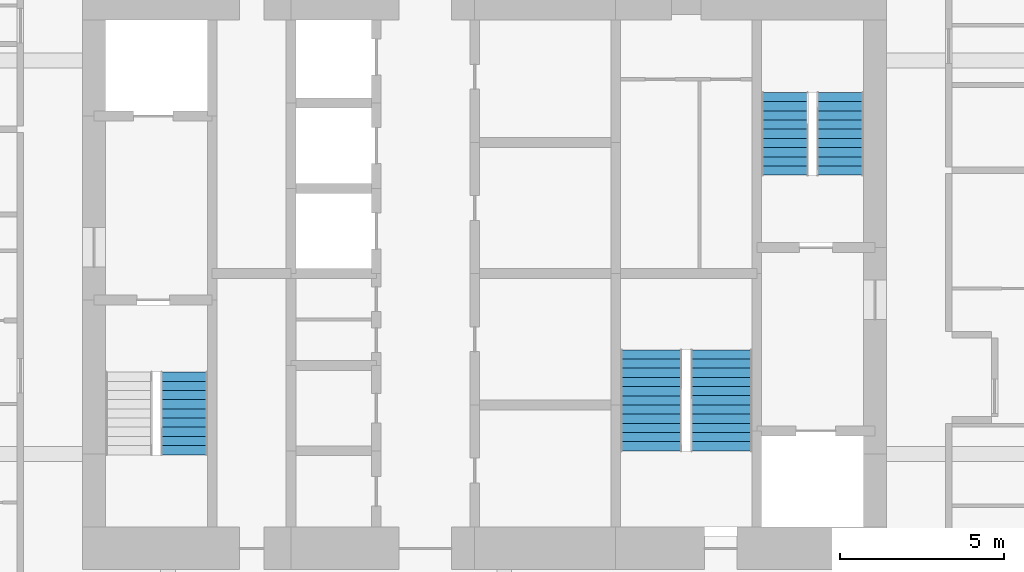
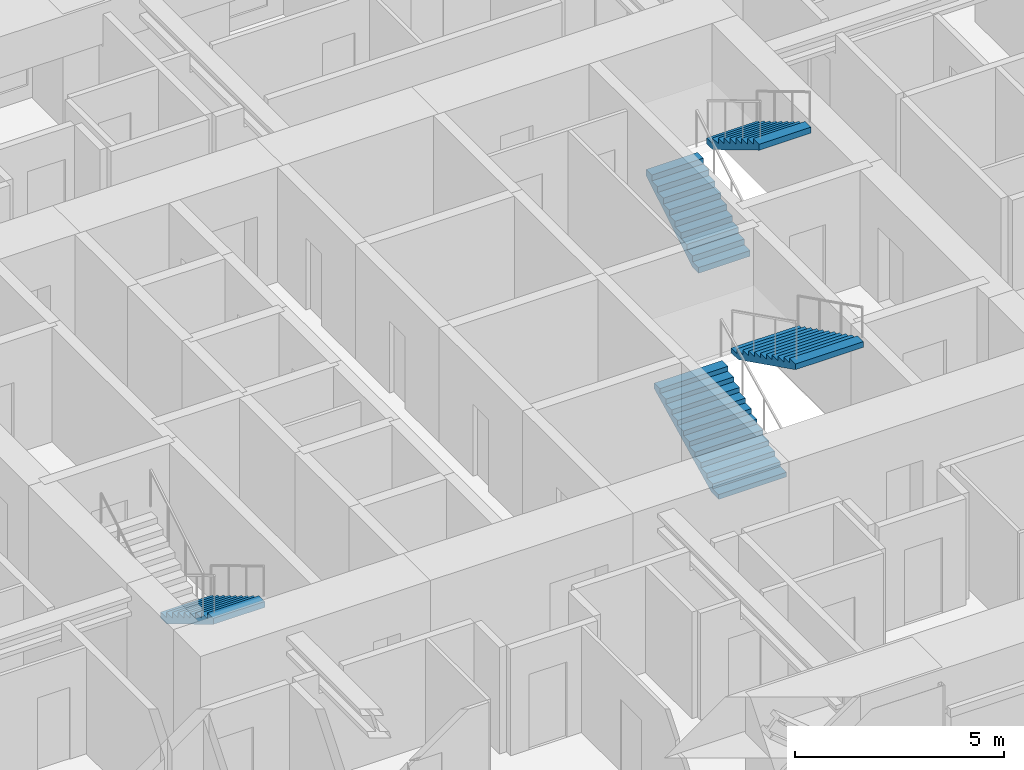
# One storey, part 22 of 23: 5 stair flights, 3 elements without a shape of their own.
"""IFC4 building model written with IfcOpenShell, lengths in metres."""

import ifcopenshell
import ifcopenshell.guid

model = None  # the IFC model being written
_history = None  # IfcOwnerHistory: only IFC2X3 demands one
_inside = {}  # id of a spatial element -> (the spatial element, [elements in it])
_under = {}  # id of a project, library or spatial element -> (it, [spatial elements below it])
_declared = {}  # id of a project -> (the project, [libraries it declares])
_typed = {}  # id of a type object -> (the type object, [elements of that type])
_made_of = {}  # id of a material, layer set ... -> (it, [elements and type objects made of it])


def new_model(schema):
    """Start an empty IFC model of exactly this schema.

    Asked for "IFC4X3", IfcOpenShell would pick the latest addendum, in which some entities
    have other attributes; the version numbers below select the first issue.
    IFC2X3 requires an IfcOwnerHistory on every rooted entity: one is made here for all.
    """
    global model, _history
    if schema == "IFC4X3":
        model = ifcopenshell.file(schema_version=(4, 3, 0, 0))
    else:
        model = ifcopenshell.file(schema=schema)
    _inside.clear()
    _under.clear()
    _declared.clear()
    _typed.clear()
    _made_of.clear()
    _history = None
    if model.schema == "IFC2X3":
        org = make("IfcOrganization", Name="unknown")
        user = make(
            "IfcPersonAndOrganization",
            ThePerson=make("IfcPerson", FamilyName="unknown"),
            TheOrganization=org,
        )
        app = make(
            "IfcApplication",
            ApplicationDeveloper=org,
            Version="unknown",
            ApplicationFullName="unknown",
            ApplicationIdentifier="unknown",
        )
        _history = make(
            "IfcOwnerHistory",
            OwningUser=user,
            OwningApplication=app,
            ChangeAction="ADDED",
            CreationDate=0,
        )
    return model


def make(cls, **values):
    """One entity of the class cls with the attributes given. An attribute that is None is left unset."""
    return model.create_entity(
        cls, **{name: value for name, value in values.items() if value is not None}
    )


def rooted(cls, **values):
    """An entity with a GlobalId (a new one), such as an element, a storey or a relation."""
    return make(cls, GlobalId=ifcopenshell.guid.new(), OwnerHistory=_history, **values)


def si_unit(unit_type, name, prefix=None):
    """IfcSIUnit, for example si_unit("LENGTHUNIT", "METRE", prefix="MILLI")."""
    return make("IfcSIUnit", UnitType=unit_type, Prefix=prefix, Name=name)


def assignment(units):
    """IfcUnitAssignment: the units of a project."""
    return None if units is None else make("IfcUnitAssignment", Units=units)


def point(xyz):
    """IfcCartesianPoint."""
    return None if xyz is None else make("IfcCartesianPoint", Coordinates=xyz)


def direction(xyz):
    """IfcDirection."""
    return None if xyz is None else make("IfcDirection", DirectionRatios=xyz)


def frame(location, z_axis=None, x_axis=None):
    """IfcAxis2Placement3D, a coordinate frame: its origin and axes. An axis left out is left unset."""
    return make(
        "IfcAxis2Placement3D",
        Location=point(location),
        Axis=direction(z_axis),
        RefDirection=direction(x_axis),
    )


def origin():
    """The frame at (0, 0, 0) with its axes left unset."""
    return frame((0.0, 0.0, 0.0))


def place(relative_to, where):
    """IfcLocalPlacement: puts the frame where relative to a parent placement (None: the world)."""
    return make(
        "IfcLocalPlacement", PlacementRelTo=relative_to, RelativePlacement=where
    )


def context(
    kind, dimensions, precision=None, world=None, true_north=None, identifier=None
):
    """IfcGeometricRepresentationContext, for example the 3D "Model" context."""
    return make(
        "IfcGeometricRepresentationContext",
        ContextIdentifier=identifier,
        ContextType=kind,
        CoordinateSpaceDimension=dimensions,
        Precision=precision,
        WorldCoordinateSystem=world,
        TrueNorth=true_north,
    )


def subcontext(parent, identifier, kind, view, scale=None):
    """IfcGeometricRepresentationSubContext, for example "Body" below "Model"."""
    return make(
        "IfcGeometricRepresentationSubContext",
        ContextIdentifier=identifier,
        ContextType=kind,
        ParentContext=parent,
        TargetScale=scale,
        TargetView=view,
    )


def project(units=None, contexts=None):
    """IfcProject with its units and contexts."""
    return rooted(
        "IfcProject",
        Name="project",
        RepresentationContexts=contexts,
        UnitsInContext=assignment(units),
    )


def spatial(cls, under=None, at=None, **own):
    """A site, building, storey or space (cls), placed at a placement, below another one or the project."""
    s = rooted(cls, ObjectPlacement=at, **own)
    if under is not None:
        _under.setdefault(under.id(), (under, []))[1].append(s)
    return s


def polyline(points):
    """IfcPolyline through the points."""
    return make("IfcPolyline", Points=[point(p) for p in points])


def outline(outer, holes=None, kind="AREA"):
    """IfcArbitraryClosedProfileDef: a profile drawn as a closed curve; with holes, ...WithVoids."""
    if holes is None:
        return make("IfcArbitraryClosedProfileDef", ProfileType=kind, OuterCurve=outer)
    return make(
        "IfcArbitraryProfileDefWithVoids",
        ProfileType=kind,
        OuterCurve=outer,
        InnerCurves=holes,
    )


def extrude(swept, where, along, depth):
    """IfcExtrudedAreaSolid: the profile swept, set in the frame where, extruded along a direction by depth."""
    return make(
        "IfcExtrudedAreaSolid",
        SweptArea=swept,
        Position=where,
        ExtrudedDirection=direction(along),
        Depth=depth,
    )


def shape(context_of_items, identifier, shape_type, items):
    """IfcShapeRepresentation: the items that make up one representation, for example the "Body"."""
    return make(
        "IfcShapeRepresentation",
        ContextOfItems=context_of_items,
        RepresentationIdentifier=identifier,
        RepresentationType=shape_type,
        Items=items,
    )


def material(Name=None, Category=None):
    """IfcMaterial."""
    return make("IfcMaterial", Name=Name, Category=Category)


def made_of(thing, what):
    """Note that an element or type object is made of a material, layer set ...; save() writes the relation."""
    if what is not None:
        _made_of.setdefault(what.id(), (what, []))[1].append(thing)
    return thing


def type_object(cls, material=None, **own):
    """A type object (cls), such as IfcWallType, which elements share."""
    return made_of(rooted(cls, **own), material)


def element(
    cls,
    number,
    at=None,
    inside=None,
    cuts=None,
    type_object=None,
    material=None,
    context=None,
    identifier="Body",
    shape_type=None,
    held_by="IfcProductDefinitionShape",
    body=None,
    shapes=None,
    **own,
):
    """One element of the class cls, such as IfcWall. Its Tag is "e" and its number.

    at: its placement. inside: the storey or other place that contains it. cuts: it is an
    opening in that element (IfcRelVoidsElement). A single representation is given by context,
    identifier, shape_type and body (its items); several are given by shapes. held_by: the class
    of the entity that holds the representations. save() writes the other relations.
    """
    e = rooted(cls, Tag="e%d" % number, ObjectPlacement=at, **own)
    if body is not None:
        shapes = [shape(context, identifier, shape_type, body)]
    if shapes is not None:
        e.Representation = make(held_by, Representations=shapes)
    if inside is not None:
        _inside.setdefault(inside.id(), (inside, []))[1].append(e)
    if cuts is not None:
        rooted(
            "IfcRelVoidsElement", RelatingBuildingElement=cuts, RelatedOpeningElement=e
        )
    if type_object is not None:
        _typed.setdefault(type_object.id(), (type_object, []))[1].append(e)
    return made_of(e, material)


def aggregate(whole, parts):
    """IfcRelAggregates: a whole, such as a stair, and the parts it consists of."""
    return rooted("IfcRelAggregates", RelatingObject=whole, RelatedObjects=parts)


def save(model, path):
    """Write the relations noted so far, then the file.

    IfcRelAggregates (storeys below a building ...), IfcRelContainedInSpatialStructure (elements
    in a storey), IfcRelDefinesByType, IfcRelAssociatesMaterial and IfcRelDeclares: one each for
    every whole, place, type object, material and project.
    """
    for whole, parts in _under.values():
        aggregate(whole, parts)
    for where, things in _inside.values():
        rooted(
            "IfcRelContainedInSpatialStructure",
            RelatedElements=things,
            RelatingStructure=where,
        )
    for kind, things in _typed.values():
        rooted("IfcRelDefinesByType", RelatedObjects=things, RelatingType=kind)
    for what, things in _made_of.values():
        rooted("IfcRelAssociatesMaterial", RelatedObjects=things, RelatingMaterial=what)
    for by, libraries in _declared.values():
        rooted("IfcRelDeclares", RelatingContext=by, RelatedDefinitions=libraries)
    model.write(path)


model = new_model("IFC4")

# Units and contexts
model_context = context("Model", 3, precision=1e-05, world=origin(), true_north=direction((0.0, 1.0)))
body_context = subcontext(model_context, "Body", "Model", "MODEL_VIEW")
ifc_project = project(units=[si_unit("LENGTHUNIT", "METRE"), si_unit("AREAUNIT", "SQUARE_METRE"), si_unit("VOLUMEUNIT", "CUBIC_METRE"), si_unit("PLANEANGLEUNIT", "RADIAN"), si_unit("MASSUNIT", "GRAM", prefix="KILO")], contexts=[model_context])

# Site, building, storey
site_placement = place(None, origin())
site = spatial("IfcSite", under=ifc_project, at=site_placement, CompositionType="ELEMENT")
building_placement = place(site_placement, origin())
building = spatial("IfcBuilding", under=site, at=building_placement, Name="Jalousie Tower", CompositionType="ELEMENT")
storey_placement = place(building_placement, frame((0.0, 0.0, 164.39990234375)))
storey = spatial("IfcBuildingStorey", under=building, at=storey_placement, Name="L44", CompositionType="ELEMENT", Elevation=164.39990234375)

# Stair, stair flight
ifc_material_1 = material(Name="Concrete f'c 40 MPa", Category="concrete")
stair_type = type_object("IfcStairType", Name="EXIT STAIR", PredefinedType="HALF_TURN_STAIR", material=ifc_material_1)
stair_1_placement = place(storey_placement, origin())
stair_1 = element("IfcStair", 1, at=stair_1_placement, inside=storey, type_object=stair_type, Name="Exit stair A L44", PredefinedType="HALF_TURN_STAIR")
ifc_material_2 = material(Name="Concrete f'c 40 MPa", Category="concrete")
stair_flight_type = type_object("IfcStairFlightType", Name="STAIR FLIGHT", PredefinedType="STRAIGHT", material=ifc_material_2)
stair_flight_1_placement = place(storey_placement, frame((22.737548828125, 15.49755859375, 0.0), z_axis=(0.0, 0.0, 1.0), x_axis=(0.0, -1.0, 0.0)))
stair_flight_1 = element("IfcStairFlight", 2, at=stair_flight_1_placement, type_object=stair_flight_type, Name="ST-A flight 1", NumberOfRisers=10, NumberOfTreads=9, PredefinedType="STRAIGHT", RiserHeight=0.1675, TreadLength=0.28, context=body_context, shape_type="SweptSolid", body=[
    extrude(outline(polyline([(0.0, 0.0), (0.0, 0.16748046875), (0.280029296875, 0.16748046875), (0.280029296875, 0.3349609375), (0.56005859375, 0.3349609375), (0.56005859375, 0.50244140625), (0.840087890625, 0.50244140625), (0.840087890625, 0.669921875), (1.1201171875, 0.669921875), (1.1201171875, 0.83740234375), (1.39990234375, 0.83740234375), (1.39990234375, 1.0048828125), (1.679931640625, 1.0048828125), (1.679931640625, 1.172607421875), (1.9599609375, 1.172607421875), (1.9599609375, 1.340087890625), (2.239990234375, 1.340087890625), (2.239990234375, 1.507568359375), (2.52001953125, 1.507568359375), (2.52001953125, 1.675048828125), (2.52001953125, 1.332763671875), (0.2919921875, 0.0), (0.0, 0.0)])), frame((0.0, 0.71240234375, 0.0), z_axis=(0.0, -1.0, 0.0), x_axis=(1.0, 0.0, 0.0)), (0.0, 0.0, 1.0), 1.425048828125),
])
aggregate(stair_1, [stair_flight_1])

# Stair, stair flights
stair_2_placement = place(storey_placement, origin())
stair_2 = element("IfcStair", 3, at=stair_2_placement, inside=storey, type_object=stair_type, Name="Exit stair B L44", PredefinedType="HALF_TURN_STAIR")
stair_flight_2_placement = place(storey_placement, frame((41.0625, 21.50244140625, 0.0), z_axis=(0.0, 0.0, 1.0), x_axis=(0.0, 1.0, 0.0)))
stair_flight_2 = element("IfcStairFlight", 4, at=stair_flight_2_placement, type_object=stair_flight_type, Name="ST-B flight 1", NumberOfRisers=10, NumberOfTreads=9, PredefinedType="STRAIGHT", RiserHeight=0.1675, TreadLength=0.28, context=body_context, shape_type="SweptSolid", body=[
    extrude(outline(polyline([(0.0, 0.0), (0.0, 0.16748046875), (0.280029296875, 0.16748046875), (0.280029296875, 0.3349609375), (0.56005859375, 0.3349609375), (0.56005859375, 0.50244140625), (0.840087890625, 0.50244140625), (0.840087890625, 0.669921875), (1.1201171875, 0.669921875), (1.1201171875, 0.83740234375), (1.39990234375, 0.83740234375), (1.39990234375, 1.0048828125), (1.679931640625, 1.0048828125), (1.679931640625, 1.172607421875), (1.9599609375, 1.172607421875), (1.9599609375, 1.340087890625), (2.239990234375, 1.340087890625), (2.239990234375, 1.507568359375), (2.52001953125, 1.507568359375), (2.52001953125, 1.675048828125), (2.52001953125, 1.332763671875), (0.2919921875, 0.0), (0.0, 0.0)])), frame((0.0, 0.71240234375, 0.0), z_axis=(0.0, -1.0, 0.0), x_axis=(1.0, 0.0, 0.0)), (0.0, 0.0, 1.0), 1.425048828125),
])
stair_flight_3_placement = place(storey_placement, frame((42.737548828125, 24.0224609375, 1.675048828125), z_axis=(0.0, 0.0, 1.0), x_axis=(0.0, -1.0, 0.0)))
stair_flight_3 = element("IfcStairFlight", 5, at=stair_flight_3_placement, type_object=stair_flight_type, Name="ST-B flight 2", NumberOfRisers=10, NumberOfTreads=9, PredefinedType="STRAIGHT", RiserHeight=0.1675, TreadLength=0.28, context=body_context, shape_type="SweptSolid", body=[
    extrude(outline(polyline([(0.0, 0.0), (0.0, 0.16748046875), (0.280029296875, 0.16748046875), (0.280029296875, 0.3349609375), (0.56005859375, 0.3349609375), (0.56005859375, 0.50244140625), (0.840087890625, 0.50244140625), (0.840087890625, 0.669921875), (1.1201171875, 0.669921875), (1.1201171875, 0.83740234375), (1.39990234375, 0.83740234375), (1.39990234375, 1.0048828125), (1.679931640625, 1.0048828125), (1.679931640625, 1.172607421875), (1.9599609375, 1.172607421875), (1.9599609375, 1.340087890625), (2.239990234375, 1.340087890625), (2.239990234375, 1.507568359375), (2.52001953125, 1.507568359375), (2.52001953125, 1.675048828125), (2.52001953125, 1.332763671875), (0.2919921875, 0.0), (0.0, 0.0)])), frame((0.0, 0.71240234375, 0.0), z_axis=(0.0, -1.0, 0.0), x_axis=(1.0, 0.0, 0.0)), (0.0, 0.0, 1.0), 1.425048828125),
])
aggregate(stair_2, [stair_flight_2, stair_flight_3])

stair_3_placement = place(storey_placement, origin())
stair_3 = element("IfcStair", 6, at=stair_3_placement, inside=storey, type_object=stair_type, Name="Exit stair C L44", PredefinedType="HALF_TURN_STAIR")
stair_flight_4_placement = place(storey_placement, frame((36.987548828125, 13.097412109375, 0.0), z_axis=(0.0, 0.0, 1.0), x_axis=(0.0, 1.0, 0.0)))
stair_flight_4 = element("IfcStairFlight", 7, at=stair_flight_4_placement, type_object=stair_flight_type, Name="ST-C flight 1", NumberOfRisers=12, NumberOfTreads=11, PredefinedType="STRAIGHT", RiserHeight=0.139583333, TreadLength=0.28, context=body_context, shape_type="SweptSolid", body=[
    extrude(outline(polyline([(0.0, 0.0), (0.0, 0.1396484375), (0.280029296875, 0.1396484375), (0.280029296875, 0.279052734375), (0.56005859375, 0.279052734375), (0.56005859375, 0.418701171875), (0.840087890625, 0.418701171875), (0.840087890625, 0.558349609375), (1.1201171875, 0.558349609375), (1.1201171875, 0.697998046875), (1.39990234375, 0.697998046875), (1.39990234375, 0.83740234375), (1.679931640625, 0.83740234375), (1.679931640625, 0.97705078125), (1.9599609375, 0.97705078125), (1.9599609375, 1.11669921875), (2.239990234375, 1.11669921875), (2.239990234375, 1.25634765625), (2.52001953125, 1.25634765625), (2.52001953125, 1.395751953125), (2.800048828125, 1.395751953125), (2.800048828125, 1.535400390625), (3.080078125, 1.535400390625), (3.080078125, 1.675048828125), (3.080078125, 1.367919921875), (0.3359375, 0.0), (0.0, 0.0)])), frame((0.0, 0.9375, 0.0), z_axis=(0.0, -1.0, 0.0), x_axis=(1.0, 0.0, 0.0)), (0.0, 0.0, 1.0), 1.875),
])
stair_flight_5_placement = place(storey_placement, frame((39.112548828125, 16.177490234375, 1.675048828125), z_axis=(0.0, 0.0, 1.0), x_axis=(0.0, -1.0, 0.0)))
stair_flight_5 = element("IfcStairFlight", 8, at=stair_flight_5_placement, type_object=stair_flight_type, Name="ST-C flight 2", NumberOfRisers=12, NumberOfTreads=11, PredefinedType="STRAIGHT", RiserHeight=0.139583333, TreadLength=0.28, context=body_context, shape_type="SweptSolid", body=[
    extrude(outline(polyline([(0.0, 0.0), (0.0, 0.1396484375), (0.280029296875, 0.1396484375), (0.280029296875, 0.279052734375), (0.56005859375, 0.279052734375), (0.56005859375, 0.418701171875), (0.840087890625, 0.418701171875), (0.840087890625, 0.558349609375), (1.1201171875, 0.558349609375), (1.1201171875, 0.697998046875), (1.39990234375, 0.697998046875), (1.39990234375, 0.83740234375), (1.679931640625, 0.83740234375), (1.679931640625, 0.97705078125), (1.9599609375, 0.97705078125), (1.9599609375, 1.11669921875), (2.239990234375, 1.11669921875), (2.239990234375, 1.25634765625), (2.52001953125, 1.25634765625), (2.52001953125, 1.395751953125), (2.800048828125, 1.395751953125), (2.800048828125, 1.535400390625), (3.080078125, 1.535400390625), (3.080078125, 1.675048828125), (3.080078125, 1.367919921875), (0.3359375, 0.0), (0.0, 0.0)])), frame((0.0, 0.9375, 0.0), z_axis=(0.0, -1.0, 0.0), x_axis=(1.0, 0.0, 0.0)), (0.0, 0.0, 1.0), 1.875),
])
aggregate(stair_3, [stair_flight_4, stair_flight_5])

save(model, "model.ifc")
